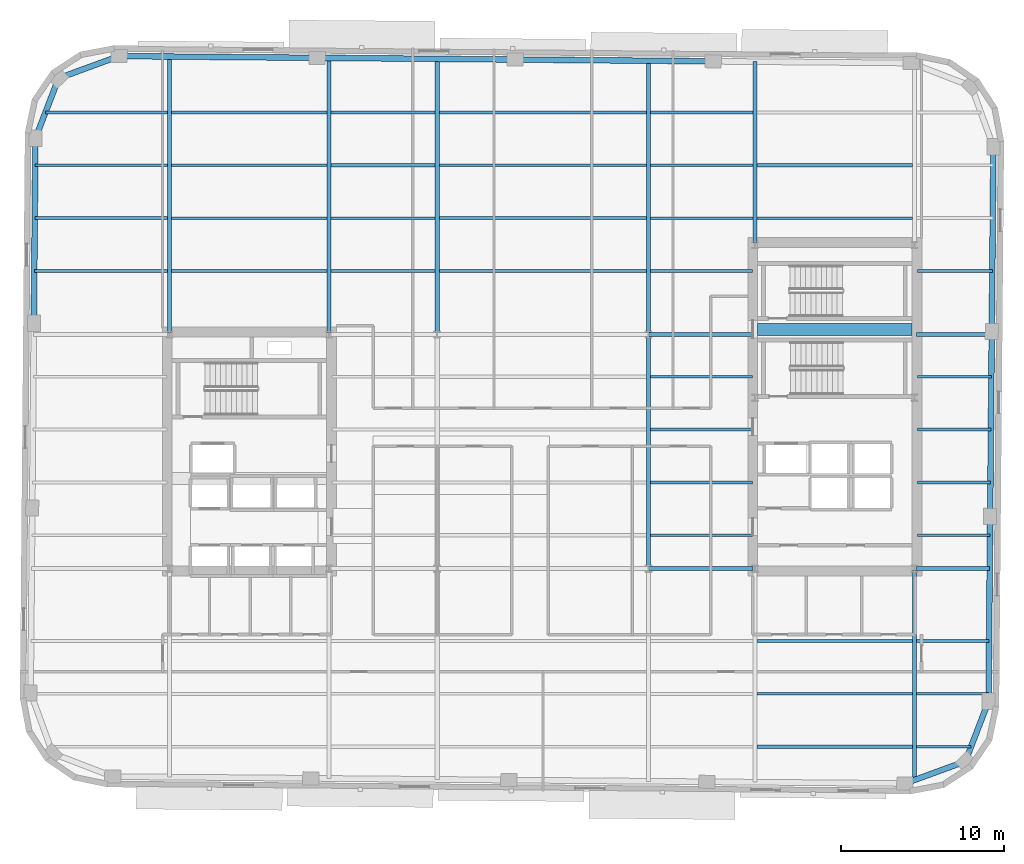
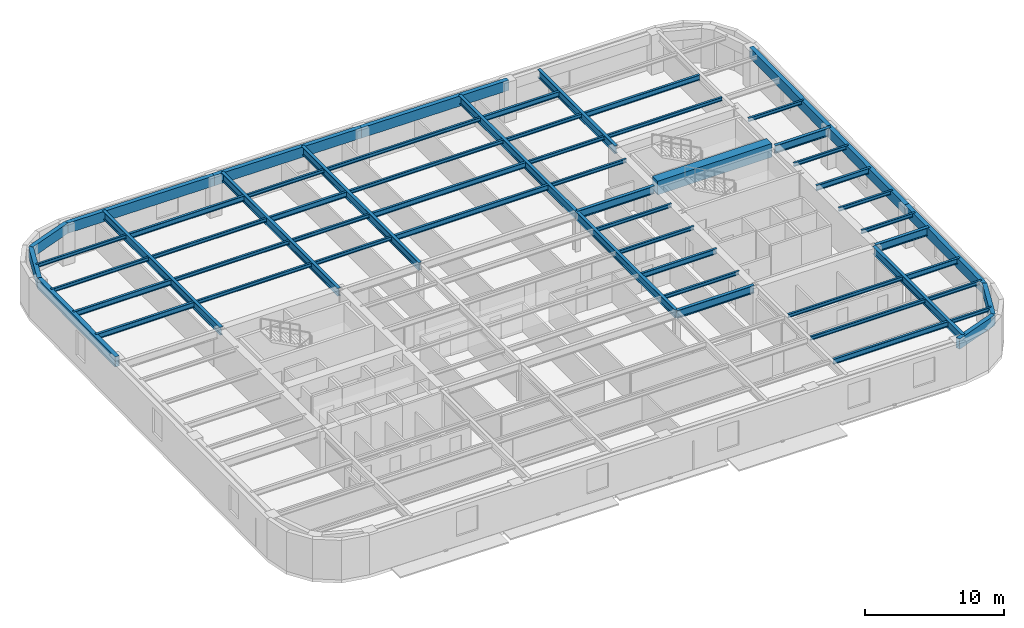
# One storey, part 2 of 11: 60 beams.
"""IFC4 building model written with IfcOpenShell, lengths in metres."""

import ifcopenshell
import ifcopenshell.guid

model = None  # the IFC model being written
_history = None  # IfcOwnerHistory: only IFC2X3 demands one
_inside = {}  # id of a spatial element -> (the spatial element, [elements in it])
_under = {}  # id of a project, library or spatial element -> (it, [spatial elements below it])
_declared = {}  # id of a project -> (the project, [libraries it declares])
_typed = {}  # id of a type object -> (the type object, [elements of that type])
_made_of = {}  # id of a material, layer set ... -> (it, [elements and type objects made of it])


def new_model(schema):
    """Start an empty IFC model of exactly this schema.

    Asked for "IFC4X3", IfcOpenShell would pick the latest addendum, in which some entities
    have other attributes; the version numbers below select the first issue.
    IFC2X3 requires an IfcOwnerHistory on every rooted entity: one is made here for all.
    """
    global model, _history
    if schema == "IFC4X3":
        model = ifcopenshell.file(schema_version=(4, 3, 0, 0))
    else:
        model = ifcopenshell.file(schema=schema)
    _inside.clear()
    _under.clear()
    _declared.clear()
    _typed.clear()
    _made_of.clear()
    _history = None
    if model.schema == "IFC2X3":
        org = make("IfcOrganization", Name="unknown")
        user = make(
            "IfcPersonAndOrganization",
            ThePerson=make("IfcPerson", FamilyName="unknown"),
            TheOrganization=org,
        )
        app = make(
            "IfcApplication",
            ApplicationDeveloper=org,
            Version="unknown",
            ApplicationFullName="unknown",
            ApplicationIdentifier="unknown",
        )
        _history = make(
            "IfcOwnerHistory",
            OwningUser=user,
            OwningApplication=app,
            ChangeAction="ADDED",
            CreationDate=0,
        )
    return model


def make(cls, **values):
    """One entity of the class cls with the attributes given. An attribute that is None is left unset."""
    return model.create_entity(
        cls, **{name: value for name, value in values.items() if value is not None}
    )


def rooted(cls, **values):
    """An entity with a GlobalId (a new one), such as an element, a storey or a relation."""
    return make(cls, GlobalId=ifcopenshell.guid.new(), OwnerHistory=_history, **values)


def si_unit(unit_type, name, prefix=None):
    """IfcSIUnit, for example si_unit("LENGTHUNIT", "METRE", prefix="MILLI")."""
    return make("IfcSIUnit", UnitType=unit_type, Prefix=prefix, Name=name)


def assignment(units):
    """IfcUnitAssignment: the units of a project."""
    return None if units is None else make("IfcUnitAssignment", Units=units)


def point(xyz):
    """IfcCartesianPoint."""
    return None if xyz is None else make("IfcCartesianPoint", Coordinates=xyz)


def direction(xyz):
    """IfcDirection."""
    return None if xyz is None else make("IfcDirection", DirectionRatios=xyz)


def frame(location, z_axis=None, x_axis=None):
    """IfcAxis2Placement3D, a coordinate frame: its origin and axes. An axis left out is left unset."""
    return make(
        "IfcAxis2Placement3D",
        Location=point(location),
        Axis=direction(z_axis),
        RefDirection=direction(x_axis),
    )


def frame_2d(location, x_axis=None):
    """IfcAxis2Placement2D, a coordinate frame in the plane: its origin and x axis."""
    return make(
        "IfcAxis2Placement2D", Location=point(location), RefDirection=direction(x_axis)
    )


def origin():
    """The frame at (0, 0, 0) with its axes left unset."""
    return frame((0.0, 0.0, 0.0))


def origin_2d():
    """The frame at (0, 0) in the plane with its x axis left unset."""
    return frame_2d((0.0, 0.0))


def place(relative_to, where):
    """IfcLocalPlacement: puts the frame where relative to a parent placement (None: the world)."""
    return make(
        "IfcLocalPlacement", PlacementRelTo=relative_to, RelativePlacement=where
    )


def context(
    kind, dimensions, precision=None, world=None, true_north=None, identifier=None
):
    """IfcGeometricRepresentationContext, for example the 3D "Model" context."""
    return make(
        "IfcGeometricRepresentationContext",
        ContextIdentifier=identifier,
        ContextType=kind,
        CoordinateSpaceDimension=dimensions,
        Precision=precision,
        WorldCoordinateSystem=world,
        TrueNorth=true_north,
    )


def subcontext(parent, identifier, kind, view, scale=None):
    """IfcGeometricRepresentationSubContext, for example "Body" below "Model"."""
    return make(
        "IfcGeometricRepresentationSubContext",
        ContextIdentifier=identifier,
        ContextType=kind,
        ParentContext=parent,
        TargetScale=scale,
        TargetView=view,
    )


def project(units=None, contexts=None):
    """IfcProject with its units and contexts."""
    return rooted(
        "IfcProject",
        Name="project",
        RepresentationContexts=contexts,
        UnitsInContext=assignment(units),
    )


def spatial(cls, under=None, at=None, **own):
    """A site, building, storey or space (cls), placed at a placement, below another one or the project."""
    s = rooted(cls, ObjectPlacement=at, **own)
    if under is not None:
        _under.setdefault(under.id(), (under, []))[1].append(s)
    return s


def profile(cls, at=None, kind="AREA", **sizes):
    """A parametric profile (cls). Its sizes go by their IFC names, for example OverallWidth=200.0."""
    return make(cls, ProfileType=kind, Position=at, **sizes)


def rectangle(**sizes):
    """IfcRectangleProfileDef."""
    return profile("IfcRectangleProfileDef", **sizes)


def hollow_rectangle(**sizes):
    """IfcRectangleHollowProfileDef."""
    return profile("IfcRectangleHollowProfileDef", **sizes)


def i_section(**sizes):
    """IfcIShapeProfileDef."""
    return profile("IfcIShapeProfileDef", **sizes)


def extrude(swept, where, along, depth):
    """IfcExtrudedAreaSolid: the profile swept, set in the frame where, extruded along a direction by depth."""
    return make(
        "IfcExtrudedAreaSolid",
        SweptArea=swept,
        Position=where,
        ExtrudedDirection=direction(along),
        Depth=depth,
    )


def shape(context_of_items, identifier, shape_type, items):
    """IfcShapeRepresentation: the items that make up one representation, for example the "Body"."""
    return make(
        "IfcShapeRepresentation",
        ContextOfItems=context_of_items,
        RepresentationIdentifier=identifier,
        RepresentationType=shape_type,
        Items=items,
    )


def material(Name=None, Category=None):
    """IfcMaterial."""
    return make("IfcMaterial", Name=Name, Category=Category)


def material_profile(
    of_material, cross_section, Name=None, Category=None, Priority=None
):
    """IfcMaterialProfile: a cross section and its material."""
    return make(
        "IfcMaterialProfile",
        Name=Name,
        Material=of_material,
        Profile=cross_section,
        Priority=Priority,
        Category=Category,
    )


def profile_set(profiles, Name=None, composite=None):
    """IfcMaterialProfileSet."""
    return make(
        "IfcMaterialProfileSet",
        Name=Name,
        MaterialProfiles=profiles,
        CompositeProfile=composite,
    )


def made_of(thing, what):
    """Note that an element or type object is made of a material, layer set ...; save() writes the relation."""
    if what is not None:
        _made_of.setdefault(what.id(), (what, []))[1].append(thing)
    return thing


def type_object(cls, material=None, **own):
    """A type object (cls), such as IfcWallType, which elements share."""
    return made_of(rooted(cls, **own), material)


def element(
    cls,
    number,
    at=None,
    inside=None,
    cuts=None,
    type_object=None,
    material=None,
    context=None,
    identifier="Body",
    shape_type=None,
    held_by="IfcProductDefinitionShape",
    body=None,
    shapes=None,
    **own,
):
    """One element of the class cls, such as IfcWall. Its Tag is "e" and its number.

    at: its placement. inside: the storey or other place that contains it. cuts: it is an
    opening in that element (IfcRelVoidsElement). A single representation is given by context,
    identifier, shape_type and body (its items); several are given by shapes. held_by: the class
    of the entity that holds the representations. save() writes the other relations.
    """
    e = rooted(cls, Tag="e%d" % number, ObjectPlacement=at, **own)
    if body is not None:
        shapes = [shape(context, identifier, shape_type, body)]
    if shapes is not None:
        e.Representation = make(held_by, Representations=shapes)
    if inside is not None:
        _inside.setdefault(inside.id(), (inside, []))[1].append(e)
    if cuts is not None:
        rooted(
            "IfcRelVoidsElement", RelatingBuildingElement=cuts, RelatedOpeningElement=e
        )
    if type_object is not None:
        _typed.setdefault(type_object.id(), (type_object, []))[1].append(e)
    return made_of(e, material)


def aggregate(whole, parts):
    """IfcRelAggregates: a whole, such as a stair, and the parts it consists of."""
    return rooted("IfcRelAggregates", RelatingObject=whole, RelatedObjects=parts)


def save(model, path):
    """Write the relations noted so far, then the file.

    IfcRelAggregates (storeys below a building ...), IfcRelContainedInSpatialStructure (elements
    in a storey), IfcRelDefinesByType, IfcRelAssociatesMaterial and IfcRelDeclares: one each for
    every whole, place, type object, material and project.
    """
    for whole, parts in _under.values():
        aggregate(whole, parts)
    for where, things in _inside.values():
        rooted(
            "IfcRelContainedInSpatialStructure",
            RelatedElements=things,
            RelatingStructure=where,
        )
    for kind, things in _typed.values():
        rooted("IfcRelDefinesByType", RelatedObjects=things, RelatingType=kind)
    for what, things in _made_of.values():
        rooted("IfcRelAssociatesMaterial", RelatedObjects=things, RelatingMaterial=what)
    for by, libraries in _declared.values():
        rooted("IfcRelDeclares", RelatingContext=by, RelatedDefinitions=libraries)
    model.write(path)


model = new_model("IFC4")

# Units and contexts
model_context = context("Model", 3, precision=1e-05, world=origin(), true_north=direction((0.0, 1.0)))
body_context = subcontext(model_context, "Body", "Model", "MODEL_VIEW")
ifc_project = project(units=[si_unit("LENGTHUNIT", "METRE"), si_unit("AREAUNIT", "SQUARE_METRE"), si_unit("VOLUMEUNIT", "CUBIC_METRE"), si_unit("PLANEANGLEUNIT", "RADIAN"), si_unit("MASSUNIT", "GRAM", prefix="KILO")], contexts=[model_context])

# Site, building, storey
site_placement = place(None, origin())
site = spatial("IfcSite", under=ifc_project, at=site_placement, CompositionType="ELEMENT")
building_placement = place(site_placement, origin())
building = spatial("IfcBuilding", under=site, at=building_placement, Name="Kolvaren Arena Tower", CompositionType="ELEMENT")
storey_placement = place(building_placement, frame((0.0, 0.0, 180.949951171875)))
storey = spatial("IfcBuildingStorey", under=building, at=storey_placement, Name="L43", CompositionType="ELEMENT", Elevation=180.949951171875)

# Beams
ifc_material_1 = material(Name="Steel CSA G40.21 350W", Category="steel")
ifc_material_profile_1 = material_profile(ifc_material_1, i_section(OverallWidth=0.193115234375, OverallDepth=0.462890625, WebThickness=0.0107421875, FlangeThickness=0.0205078125, FilletRadius=0.012939453125, at=origin_2d()), Name="W460x113")
ifc_profile_set_1 = profile_set([ifc_material_profile_1], Name="Steel CSA G40.21 350W")
beam_type_1 = type_object("IfcBeamType", Name="BEAM-F2", PredefinedType="BEAM", material=ifc_profile_set_1)
beam_1_placement = place(storey_placement, frame((50.677490234375, 8.5, 3.24853515625), z_axis=(1.0, 0.0, 0.0), x_axis=(0.0, 1.0, 0.0)))
element("IfcBeam", 1, at=beam_1_placement, inside=storey, type_object=beam_type_1, Name="Composite Floor Beam (L43)", PredefinedType="BEAM", context=body_context, shape_type="SweptSolid", body=[
    extrude(i_section(OverallWidth=0.193115234375, OverallDepth=0.462890625, WebThickness=0.0107421875, FlangeThickness=0.0205078125, FilletRadius=0.012939453125, at=origin_2d()), origin(), (0.0, 0.0, 1.0), 9.544921875),
])
beam_2_placement = place(storey_placement, frame((60.4775390625, 15.0, 3.24853515625), z_axis=(1.0, 0.0, 0.0), x_axis=(0.0, 1.0, 0.0)))
element("IfcBeam", 2, at=beam_2_placement, inside=storey, type_object=beam_type_1, Name="Composite Floor Beam (L43)", PredefinedType="BEAM", context=body_context, shape_type="SweptSolid", body=[
    extrude(i_section(OverallWidth=0.193115234375, OverallDepth=0.462890625, WebThickness=0.0107421875, FlangeThickness=0.0205078125, FilletRadius=0.012939453125, at=origin_2d()), origin(), (0.0, 0.0, 1.0), 4.454833984375),
])
beam_3_placement = place(storey_placement, frame((44.12744140625, 24.75, 3.24853515625), z_axis=(1.0, 0.0, 0.0), x_axis=(0.0, 1.0, 0.0)))
element("IfcBeam", 3, at=beam_3_placement, inside=storey, type_object=beam_type_1, Name="Composite Floor Beam (L43)", PredefinedType="BEAM", context=body_context, shape_type="SweptSolid", body=[
    extrude(i_section(OverallWidth=0.193115234375, OverallDepth=0.462890625, WebThickness=0.0107421875, FlangeThickness=0.0205078125, FilletRadius=0.012939453125, at=origin_2d()), origin(), (0.0, 0.0, 1.0), 6.25244140625),
])
beam_4_placement = place(storey_placement, frame((60.52001953125, 28.0, 3.24853515625), z_axis=(1.0, 0.0, 0.0), x_axis=(0.0, 1.0, 0.0)))
element("IfcBeam", 4, at=beam_4_placement, inside=storey, type_object=beam_type_1, Name="Composite Floor Beam (L43)", PredefinedType="BEAM", context=body_context, shape_type="SweptSolid", body=[
    extrude(i_section(OverallWidth=0.193115234375, OverallDepth=0.462890625, WebThickness=0.0107421875, FlangeThickness=0.0205078125, FilletRadius=0.012939453125, at=origin_2d()), origin(), (0.0, 0.0, 1.0), 4.52587890625),
])
beam_5_placement = place(storey_placement, frame((6.228759765625, 37.75, 3.24853515625), z_axis=(1.0, 0.0, 0.0), x_axis=(0.0, 1.0, 0.0)))
element("IfcBeam", 5, at=beam_5_placement, inside=storey, type_object=beam_type_1, Name="Composite Floor Beam (L43)", PredefinedType="BEAM", context=body_context, shape_type="SweptSolid", body=[
    extrude(i_section(OverallWidth=0.193115234375, OverallDepth=0.462890625, WebThickness=0.0107421875, FlangeThickness=0.0205078125, FilletRadius=0.012939453125, at=origin_2d()), origin(), (0.0, 0.0, 1.0), 8.19384765625),
])
beam_6_placement = place(storey_placement, frame((31.12744140625, 37.75, 3.24853515625), z_axis=(1.0, 0.0, 0.0), x_axis=(0.0, 1.0, 0.0)))
element("IfcBeam", 6, at=beam_6_placement, inside=storey, type_object=beam_type_1, Name="Composite Floor Beam (L43)", PredefinedType="BEAM", context=body_context, shape_type="SweptSolid", body=[
    extrude(i_section(OverallWidth=0.193115234375, OverallDepth=0.462890625, WebThickness=0.0107421875, FlangeThickness=0.0205078125, FilletRadius=0.012939453125, at=origin_2d()), origin(), (0.0, 0.0, 1.0), 12.7451171875),
])
beam_7_placement = place(storey_placement, frame((6.257080078125, 41.0, 3.24853515625), z_axis=(1.0, 0.0, 0.0), x_axis=(0.0, 1.0, 0.0)))
element("IfcBeam", 7, at=beam_7_placement, inside=storey, type_object=beam_type_1, Name="Composite Floor Beam (L43)", PredefinedType="BEAM", context=body_context, shape_type="SweptSolid", body=[
    extrude(i_section(OverallWidth=0.193115234375, OverallDepth=0.462890625, WebThickness=0.0107421875, FlangeThickness=0.0205078125, FilletRadius=0.012939453125, at=origin_2d()), origin(), (0.0, 0.0, 1.0), 8.16552734375),
])
beam_8_placement = place(storey_placement, frame((31.12744140625, 41.0, 3.24853515625), z_axis=(1.0, 0.0, 0.0), x_axis=(0.0, 1.0, 0.0)))
element("IfcBeam", 8, at=beam_8_placement, inside=storey, type_object=beam_type_1, Name="Composite Floor Beam (L43)", PredefinedType="BEAM", context=body_context, shape_type="SweptSolid", body=[
    extrude(i_section(OverallWidth=0.193115234375, OverallDepth=0.462890625, WebThickness=0.0107421875, FlangeThickness=0.0205078125, FilletRadius=0.012939453125, at=origin_2d()), origin(), (0.0, 0.0, 1.0), 12.7451171875),
])
beam_9_placement = place(storey_placement, frame((24.4775390625, 44.25, 3.24853515625), z_axis=(1.0, 0.0, 0.0), x_axis=(0.0, 1.0, 0.0)))
element("IfcBeam", 9, at=beam_9_placement, inside=storey, type_object=beam_type_1, Name="Composite Floor Beam (L43)", PredefinedType="BEAM", context=body_context, shape_type="SweptSolid", body=[
    extrude(i_section(OverallWidth=0.193115234375, OverallDepth=0.462890625, WebThickness=0.0107421875, FlangeThickness=0.0205078125, FilletRadius=0.012939453125, at=origin_2d()), origin(), (0.0, 0.0, 1.0), 6.39501953125),
])
for number, where, z_axis, x_axis, name in (
    (10, (50.677490234375, 44.25, 3.24853515625), (1.0, 0.0, 0.0), (0.0, 1.0, 0.0), "Composite Floor Beam (L43)"),
    (11, (14.677490234375, 47.5, 3.24853515625), (1.0, 0.0, 0.0), (0.0, 1.0, 0.0), "Composite Floor Beam (L43)"),
):
    element("IfcBeam", number, at=place(storey_placement, frame(where, z_axis=z_axis, x_axis=x_axis)), inside=storey, type_object=beam_type_1, Name=name, PredefinedType="BEAM", context=body_context, shape_type="SweptSolid", body=[
        extrude(i_section(OverallWidth=0.193115234375, OverallDepth=0.462890625, WebThickness=0.0107421875, FlangeThickness=0.0205078125, FilletRadius=0.012939453125, at=origin_2d()), origin(), (0.0, 0.0, 1.0), 9.544921875),
    ])
beam_10_placement = place(storey_placement, frame((44.12744140625, 47.5, 3.24853515625), z_axis=(1.0, 0.0, 0.0), x_axis=(0.0, 1.0, 0.0)))
element("IfcBeam", 12, at=beam_10_placement, inside=storey, type_object=beam_type_1, Name="Composite Floor Beam (L43)", PredefinedType="BEAM", context=body_context, shape_type="SweptSolid", body=[
    extrude(i_section(OverallWidth=0.193115234375, OverallDepth=0.462890625, WebThickness=0.0107421875, FlangeThickness=0.0205078125, FilletRadius=0.012939453125, at=origin_2d()), origin(), (0.0, 0.0, 1.0), 6.295166015625),
])
ifc_material_2 = material(Name="Concrete 60 MPa", Category="concrete")
ifc_material_profile_2 = material_profile(ifc_material_2, rectangle(XDim=0.75, YDim=1.199951171875, at=origin_2d()), Name="RC-750x1200")
ifc_profile_set_2 = profile_set([ifc_material_profile_2], Name="Concrete 60 MPa")
beam_type_2 = type_object("IfcBeamType", Name="CB-CORE-2", PredefinedType="BEAM", material=ifc_profile_set_2)
beam_11_placement = place(storey_placement, frame((50.699951171875, 34.14990234375, 3.150146484375), z_axis=(1.0, 0.0, 0.0), x_axis=(0.0, 1.0, 0.0)))
element("IfcBeam", 13, at=beam_11_placement, inside=storey, type_object=beam_type_2, Name="East Core Coupling Beam (L43)", PredefinedType="BEAM", context=body_context, shape_type="SweptSolid", body=[
    extrude(rectangle(XDim=0.75, YDim=1.199951171875, at=origin_2d()), origin(), (0.0, 0.0, 1.0), 9.5),
])
ifc_material_profile_3 = material_profile(ifc_material_1, i_section(OverallWidth=0.2548828125, OverallDepth=0.695068359375, WebThickness=0.01708984375, FlangeThickness=0.02978515625, FilletRadius=0.01611328125, at=origin_2d()), Name="W690x217")
ifc_profile_set_3 = profile_set([ifc_material_profile_3], Name="Steel CSA G40.21 350W")
beam_type_3 = type_object("IfcBeamType", Name="GIRD-T2", PredefinedType="BEAM", material=ifc_profile_set_3)
beam_12_placement = place(storey_placement, frame((44.0, 19.449951171875, 3.132568359375), z_axis=(1.0, 0.0, 0.0), x_axis=(0.0, 1.0, 0.0)))
element("IfcBeam", 14, at=beam_12_placement, inside=storey, type_object=beam_type_3, Name="Primary Floor Girder (L43)", PredefinedType="BEAM", context=body_context, shape_type="SweptSolid", body=[
    extrude(i_section(OverallWidth=0.2548828125, OverallDepth=0.695068359375, WebThickness=0.01708984375, FlangeThickness=0.02978515625, FilletRadius=0.01611328125, at=origin_2d()), origin(), (0.0, 0.0, 1.0), 6.419921875),
])
beam_13_placement = place(storey_placement, frame((60.47998046875, 19.449951171875, 3.132568359375), z_axis=(1.0, 0.0, 0.0), x_axis=(0.0, 1.0, 0.0)))
element("IfcBeam", 15, at=beam_13_placement, inside=storey, type_object=beam_type_3, Name="Primary Floor Girder (L43)", PredefinedType="BEAM", context=body_context, shape_type="SweptSolid", body=[
    extrude(i_section(OverallWidth=0.2548828125, OverallDepth=0.695068359375, WebThickness=0.01708984375, FlangeThickness=0.02978515625, FilletRadius=0.01611328125, at=origin_2d()), origin(), (0.0, 0.0, 1.0), 4.4912109375),
])
beam_14_placement = place(storey_placement, frame((44.0, 33.85009765625, 3.132568359375), z_axis=(1.0, 0.0, 0.0), x_axis=(0.0, 1.0, 0.0)))
element("IfcBeam", 16, at=beam_14_placement, inside=storey, type_object=beam_type_3, Name="Primary Floor Girder (L43)", PredefinedType="BEAM", context=body_context, shape_type="SweptSolid", body=[
    extrude(i_section(OverallWidth=0.2548828125, OverallDepth=0.695068359375, WebThickness=0.01708984375, FlangeThickness=0.02978515625, FilletRadius=0.01611328125, at=origin_2d()), origin(), (0.0, 0.0, 1.0), 6.419921875),
])
beam_15_placement = place(storey_placement, frame((60.47998046875, 33.85009765625, 3.132568359375), z_axis=(1.0, 0.0, 0.0), x_axis=(0.0, 1.0, 0.0)))
element("IfcBeam", 17, at=beam_15_placement, inside=storey, type_object=beam_type_3, Name="Primary Floor Girder (L43)", PredefinedType="BEAM", context=body_context, shape_type="SweptSolid", body=[
    extrude(i_section(OverallWidth=0.2548828125, OverallDepth=0.695068359375, WebThickness=0.01708984375, FlangeThickness=0.02978515625, FilletRadius=0.01611328125, at=origin_2d()), origin(), (0.0, 0.0, 1.0), 4.616943359375),
])
beam_16_placement = place(storey_placement, frame((14.550048828125, 33.97998046875, 3.132568359375), z_axis=(0.0, 1.0, 0.0), x_axis=(-1.0, 0.0, 0.0)))
element("IfcBeam", 18, at=beam_16_placement, inside=storey, type_object=beam_type_3, Name="Primary Floor Girder (L43)", PredefinedType="BEAM", context=body_context, shape_type="SweptSolid", body=[
    extrude(i_section(OverallWidth=0.2548828125, OverallDepth=0.695068359375, WebThickness=0.01708984375, FlangeThickness=0.02978515625, FilletRadius=0.01611328125, at=origin_2d()), origin(), (0.0, 0.0, 1.0), 16.95458984375),
])
beam_17_placement = place(storey_placement, frame((24.35009765625, 33.97998046875, 3.132568359375), z_axis=(0.0, 1.0, 0.0), x_axis=(-1.0, 0.0, 0.0)))
element("IfcBeam", 19, at=beam_17_placement, inside=storey, type_object=beam_type_3, Name="Primary Floor Girder (L43)", PredefinedType="BEAM", context=body_context, shape_type="SweptSolid", body=[
    extrude(i_section(OverallWidth=0.2548828125, OverallDepth=0.695068359375, WebThickness=0.01708984375, FlangeThickness=0.02978515625, FilletRadius=0.01611328125, at=origin_2d()), origin(), (0.0, 0.0, 1.0), 16.869140625),
])
beam_18_placement = place(storey_placement, frame((31.0, 33.85009765625, 3.132568359375), z_axis=(0.0, 1.0, 0.0), x_axis=(-1.0, 0.0, 0.0)))
element("IfcBeam", 20, at=beam_18_placement, inside=storey, type_object=beam_type_3, Name="Primary Floor Girder (L43)", PredefinedType="BEAM", context=body_context, shape_type="SweptSolid", body=[
    extrude(i_section(OverallWidth=0.2548828125, OverallDepth=0.695068359375, WebThickness=0.01708984375, FlangeThickness=0.02978515625, FilletRadius=0.01611328125, at=origin_2d()), origin(), (0.0, 0.0, 1.0), 16.94091796875),
])
beam_19_placement = place(storey_placement, frame((44.0, 19.449951171875, 3.132568359375), z_axis=(0.0, 1.0, 0.0), x_axis=(-1.0, 0.0, 0.0)))
element("IfcBeam", 21, at=beam_19_placement, inside=storey, type_object=beam_type_3, Name="Primary Floor Girder (L43)", PredefinedType="BEAM", context=body_context, shape_type="SweptSolid", body=[
    extrude(i_section(OverallWidth=0.2548828125, OverallDepth=0.695068359375, WebThickness=0.01708984375, FlangeThickness=0.02978515625, FilletRadius=0.01611328125, at=origin_2d()), origin(), (0.0, 0.0, 1.0), 14.400146484375),
])
beam_20_placement = place(storey_placement, frame((44.0, 33.85009765625, 3.132568359375), z_axis=(0.0, 1.0, 0.0), x_axis=(-1.0, 0.0, 0.0)))
element("IfcBeam", 22, at=beam_20_placement, inside=storey, type_object=beam_type_3, Name="Primary Floor Girder (L43)", PredefinedType="BEAM", context=body_context, shape_type="SweptSolid", body=[
    extrude(i_section(OverallWidth=0.2548828125, OverallDepth=0.695068359375, WebThickness=0.01708984375, FlangeThickness=0.02978515625, FilletRadius=0.01611328125, at=origin_2d()), origin(), (0.0, 0.0, 1.0), 16.827392578125),
])
beam_21_placement = place(storey_placement, frame((50.550048828125, 39.47998046875, 3.132568359375), z_axis=(0.0, 1.0, 0.0), x_axis=(-1.0, 0.0, 0.0)))
element("IfcBeam", 23, at=beam_21_placement, inside=storey, type_object=beam_type_3, Name="Primary Floor Girder (L43)", PredefinedType="BEAM", context=body_context, shape_type="SweptSolid", body=[
    extrude(i_section(OverallWidth=0.2548828125, OverallDepth=0.695068359375, WebThickness=0.01708984375, FlangeThickness=0.02978515625, FilletRadius=0.01611328125, at=origin_2d()), origin(), (0.0, 0.0, 1.0), 11.140380859375),
])
beam_22_placement = place(storey_placement, frame((60.35009765625, 6.455322265625, 3.132568359375), z_axis=(0.0, 1.0, 0.0), x_axis=(-1.0, 0.0, 0.0)))
element("IfcBeam", 24, at=beam_22_placement, inside=storey, type_object=beam_type_3, Name="Primary Floor Girder (L43)", PredefinedType="BEAM", context=body_context, shape_type="SweptSolid", body=[
    extrude(i_section(OverallWidth=0.2548828125, OverallDepth=0.695068359375, WebThickness=0.01708984375, FlangeThickness=0.02978515625, FilletRadius=0.01611328125, at=origin_2d()), origin(), (0.0, 0.0, 1.0), 12.86474609375),
])
ifc_material_profile_4 = material_profile(ifc_material_1, i_section(OverallWidth=0.1669921875, OverallDepth=0.31689453125, WebThickness=0.007568359375, FlangeThickness=0.01318359375, FilletRadius=0.010009765625, at=origin_2d()), Name="W310x52")
ifc_profile_set_4 = profile_set([ifc_material_profile_4], Name="Steel CSA G40.21 350W")
beam_type_4 = type_object("IfcBeamType", Name="JOIST-02", PredefinedType="JOIST", material=ifc_profile_set_4)
beam_23_placement = place(storey_placement, frame((60.4775390625, 8.5, 3.321533203125), z_axis=(1.0, 0.0, 0.0), x_axis=(0.0, 1.0, 0.0)))
element("IfcBeam", 25, at=beam_23_placement, inside=storey, type_object=beam_type_4, Name="Composite Floor Joist (L43)", PredefinedType="JOIST", context=body_context, shape_type="SweptSolid", body=[
    extrude(i_section(OverallWidth=0.1669921875, OverallDepth=0.31689453125, WebThickness=0.007568359375, FlangeThickness=0.01318359375, FilletRadius=0.010009765625, at=origin_2d()), origin(), (0.0, 0.0, 1.0), 3.3466796875),
])
beam_24_placement = place(storey_placement, frame((50.677490234375, 11.75, 3.321533203125), z_axis=(1.0, 0.0, 0.0), x_axis=(0.0, 1.0, 0.0)))
element("IfcBeam", 26, at=beam_24_placement, inside=storey, type_object=beam_type_4, Name="Composite Floor Joist (L43)", PredefinedType="JOIST", context=body_context, shape_type="SweptSolid", body=[
    extrude(i_section(OverallWidth=0.1669921875, OverallDepth=0.31689453125, WebThickness=0.007568359375, FlangeThickness=0.01318359375, FilletRadius=0.010009765625, at=origin_2d()), origin(), (0.0, 0.0, 1.0), 9.544921875),
])
beam_25_placement = place(storey_placement, frame((60.4775390625, 11.75, 3.321533203125), z_axis=(1.0, 0.0, 0.0), x_axis=(0.0, 1.0, 0.0)))
element("IfcBeam", 27, at=beam_25_placement, inside=storey, type_object=beam_type_4, Name="Composite Floor Joist (L43)", PredefinedType="JOIST", context=body_context, shape_type="SweptSolid", body=[
    extrude(i_section(OverallWidth=0.1669921875, OverallDepth=0.31689453125, WebThickness=0.007568359375, FlangeThickness=0.01318359375, FilletRadius=0.010009765625, at=origin_2d()), origin(), (0.0, 0.0, 1.0), 4.426513671875),
])
beam_26_placement = place(storey_placement, frame((50.677490234375, 15.0, 3.321533203125), z_axis=(1.0, 0.0, 0.0), x_axis=(0.0, 1.0, 0.0)))
element("IfcBeam", 28, at=beam_26_placement, inside=storey, type_object=beam_type_4, Name="Composite Floor Joist (L43)", PredefinedType="JOIST", context=body_context, shape_type="SweptSolid", body=[
    extrude(i_section(OverallWidth=0.1669921875, OverallDepth=0.31689453125, WebThickness=0.007568359375, FlangeThickness=0.01318359375, FilletRadius=0.010009765625, at=origin_2d()), origin(), (0.0, 0.0, 1.0), 9.544921875),
])
beam_27_placement = place(storey_placement, frame((44.12744140625, 21.5, 3.321533203125), z_axis=(1.0, 0.0, 0.0), x_axis=(0.0, 1.0, 0.0)))
element("IfcBeam", 29, at=beam_27_placement, inside=storey, type_object=beam_type_4, Name="Composite Floor Joist (L43)", PredefinedType="JOIST", context=body_context, shape_type="SweptSolid", body=[
    extrude(i_section(OverallWidth=0.1669921875, OverallDepth=0.31689453125, WebThickness=0.007568359375, FlangeThickness=0.01318359375, FilletRadius=0.010009765625, at=origin_2d()), origin(), (0.0, 0.0, 1.0), 6.25244140625),
])
beam_28_placement = place(storey_placement, frame((60.52001953125, 21.5, 3.321533203125), z_axis=(1.0, 0.0, 0.0), x_axis=(0.0, 1.0, 0.0)))
element("IfcBeam", 30, at=beam_28_placement, inside=storey, type_object=beam_type_4, Name="Composite Floor Joist (L43)", PredefinedType="JOIST", context=body_context, shape_type="SweptSolid", body=[
    extrude(i_section(OverallWidth=0.1669921875, OverallDepth=0.31689453125, WebThickness=0.007568359375, FlangeThickness=0.01318359375, FilletRadius=0.010009765625, at=origin_2d()), origin(), (0.0, 0.0, 1.0), 4.46923828125),
])
beam_29_placement = place(storey_placement, frame((60.52001953125, 24.75, 3.321533203125), z_axis=(1.0, 0.0, 0.0), x_axis=(0.0, 1.0, 0.0)))
element("IfcBeam", 31, at=beam_29_placement, inside=storey, type_object=beam_type_4, Name="Composite Floor Joist (L43)", PredefinedType="JOIST", context=body_context, shape_type="SweptSolid", body=[
    extrude(i_section(OverallWidth=0.1669921875, OverallDepth=0.31689453125, WebThickness=0.007568359375, FlangeThickness=0.01318359375, FilletRadius=0.010009765625, at=origin_2d()), origin(), (0.0, 0.0, 1.0), 4.49755859375),
])
for number, where, z_axis, x_axis, name in (
    (32, (44.12744140625, 28.0, 3.321533203125), (1.0, 0.0, 0.0), (0.0, 1.0, 0.0), "Composite Floor Joist (L43)"),
    (33, (44.12744140625, 31.25, 3.321533203125), (1.0, 0.0, 0.0), (0.0, 1.0, 0.0), "Composite Floor Joist (L43)"),
):
    element("IfcBeam", number, at=place(storey_placement, frame(where, z_axis=z_axis, x_axis=x_axis)), inside=storey, type_object=beam_type_4, Name=name, PredefinedType="JOIST", context=body_context, shape_type="SweptSolid", body=[
        extrude(i_section(OverallWidth=0.1669921875, OverallDepth=0.31689453125, WebThickness=0.007568359375, FlangeThickness=0.01318359375, FilletRadius=0.010009765625, at=origin_2d()), origin(), (0.0, 0.0, 1.0), 6.25244140625),
    ])
beam_30_placement = place(storey_placement, frame((60.52001953125, 31.25, 3.321533203125), z_axis=(1.0, 0.0, 0.0), x_axis=(0.0, 1.0, 0.0)))
element("IfcBeam", 34, at=beam_30_placement, inside=storey, type_object=beam_type_4, Name="Composite Floor Joist (L43)", PredefinedType="JOIST", context=body_context, shape_type="SweptSolid", body=[
    extrude(i_section(OverallWidth=0.1669921875, OverallDepth=0.31689453125, WebThickness=0.007568359375, FlangeThickness=0.01318359375, FilletRadius=0.010009765625, at=origin_2d()), origin(), (0.0, 0.0, 1.0), 4.55419921875),
])
beam_31_placement = place(storey_placement, frame((14.677490234375, 37.75, 3.321533203125), z_axis=(1.0, 0.0, 0.0), x_axis=(0.0, 1.0, 0.0)))
element("IfcBeam", 35, at=beam_31_placement, inside=storey, type_object=beam_type_4, Name="Composite Floor Joist (L43)", PredefinedType="JOIST", context=body_context, shape_type="SweptSolid", body=[
    extrude(i_section(OverallWidth=0.1669921875, OverallDepth=0.31689453125, WebThickness=0.007568359375, FlangeThickness=0.01318359375, FilletRadius=0.010009765625, at=origin_2d()), origin(), (0.0, 0.0, 1.0), 9.544921875),
])
beam_32_placement = place(storey_placement, frame((24.4775390625, 37.75, 3.321533203125), z_axis=(1.0, 0.0, 0.0), x_axis=(0.0, 1.0, 0.0)))
element("IfcBeam", 36, at=beam_32_placement, inside=storey, type_object=beam_type_4, Name="Composite Floor Joist (L43)", PredefinedType="JOIST", context=body_context, shape_type="SweptSolid", body=[
    extrude(i_section(OverallWidth=0.1669921875, OverallDepth=0.31689453125, WebThickness=0.007568359375, FlangeThickness=0.01318359375, FilletRadius=0.010009765625, at=origin_2d()), origin(), (0.0, 0.0, 1.0), 6.39501953125),
])
beam_33_placement = place(storey_placement, frame((44.12744140625, 37.75, 3.321533203125), z_axis=(1.0, 0.0, 0.0), x_axis=(0.0, 1.0, 0.0)))
element("IfcBeam", 37, at=beam_33_placement, inside=storey, type_object=beam_type_4, Name="Composite Floor Joist (L43)", PredefinedType="JOIST", context=body_context, shape_type="SweptSolid", body=[
    extrude(i_section(OverallWidth=0.1669921875, OverallDepth=0.31689453125, WebThickness=0.007568359375, FlangeThickness=0.01318359375, FilletRadius=0.010009765625, at=origin_2d()), origin(), (0.0, 0.0, 1.0), 6.25244140625),
])
beam_34_placement = place(storey_placement, frame((60.52001953125, 37.75, 3.321533203125), z_axis=(1.0, 0.0, 0.0), x_axis=(0.0, 1.0, 0.0)))
element("IfcBeam", 38, at=beam_34_placement, inside=storey, type_object=beam_type_4, Name="Composite Floor Joist (L43)", PredefinedType="JOIST", context=body_context, shape_type="SweptSolid", body=[
    extrude(i_section(OverallWidth=0.1669921875, OverallDepth=0.31689453125, WebThickness=0.007568359375, FlangeThickness=0.01318359375, FilletRadius=0.010009765625, at=origin_2d()), origin(), (0.0, 0.0, 1.0), 4.611083984375),
])
beam_35_placement = place(storey_placement, frame((14.677490234375, 41.0, 3.321533203125), z_axis=(1.0, 0.0, 0.0), x_axis=(0.0, 1.0, 0.0)))
element("IfcBeam", 39, at=beam_35_placement, inside=storey, type_object=beam_type_4, Name="Composite Floor Joist (L43)", PredefinedType="JOIST", context=body_context, shape_type="SweptSolid", body=[
    extrude(i_section(OverallWidth=0.1669921875, OverallDepth=0.31689453125, WebThickness=0.007568359375, FlangeThickness=0.01318359375, FilletRadius=0.010009765625, at=origin_2d()), origin(), (0.0, 0.0, 1.0), 9.544921875),
])
beam_36_placement = place(storey_placement, frame((24.4775390625, 41.0, 3.321533203125), z_axis=(1.0, 0.0, 0.0), x_axis=(0.0, 1.0, 0.0)))
element("IfcBeam", 40, at=beam_36_placement, inside=storey, type_object=beam_type_4, Name="Composite Floor Joist (L43)", PredefinedType="JOIST", context=body_context, shape_type="SweptSolid", body=[
    extrude(i_section(OverallWidth=0.1669921875, OverallDepth=0.31689453125, WebThickness=0.007568359375, FlangeThickness=0.01318359375, FilletRadius=0.010009765625, at=origin_2d()), origin(), (0.0, 0.0, 1.0), 6.39501953125),
])
beam_37_placement = place(storey_placement, frame((44.12744140625, 41.0, 3.321533203125), z_axis=(1.0, 0.0, 0.0), x_axis=(0.0, 1.0, 0.0)))
element("IfcBeam", 41, at=beam_37_placement, inside=storey, type_object=beam_type_4, Name="Composite Floor Joist (L43)", PredefinedType="JOIST", context=body_context, shape_type="SweptSolid", body=[
    extrude(i_section(OverallWidth=0.1669921875, OverallDepth=0.31689453125, WebThickness=0.007568359375, FlangeThickness=0.01318359375, FilletRadius=0.010009765625, at=origin_2d()), origin(), (0.0, 0.0, 1.0), 6.295166015625),
])
beam_38_placement = place(storey_placement, frame((50.677490234375, 41.0, 3.321533203125), z_axis=(1.0, 0.0, 0.0), x_axis=(0.0, 1.0, 0.0)))
element("IfcBeam", 42, at=beam_38_placement, inside=storey, type_object=beam_type_4, Name="Composite Floor Joist (L43)", PredefinedType="JOIST", context=body_context, shape_type="SweptSolid", body=[
    extrude(i_section(OverallWidth=0.1669921875, OverallDepth=0.31689453125, WebThickness=0.007568359375, FlangeThickness=0.01318359375, FilletRadius=0.010009765625, at=origin_2d()), origin(), (0.0, 0.0, 1.0), 9.544921875),
])
beam_39_placement = place(storey_placement, frame((6.285400390625, 44.25, 3.321533203125), z_axis=(1.0, 0.0, 0.0), x_axis=(0.0, 1.0, 0.0)))
element("IfcBeam", 43, at=beam_39_placement, inside=storey, type_object=beam_type_4, Name="Composite Floor Joist (L43)", PredefinedType="JOIST", context=body_context, shape_type="SweptSolid", body=[
    extrude(i_section(OverallWidth=0.1669921875, OverallDepth=0.31689453125, WebThickness=0.007568359375, FlangeThickness=0.01318359375, FilletRadius=0.010009765625, at=origin_2d()), origin(), (0.0, 0.0, 1.0), 8.13720703125),
])
beam_40_placement = place(storey_placement, frame((14.677490234375, 44.25, 3.321533203125), z_axis=(1.0, 0.0, 0.0), x_axis=(0.0, 1.0, 0.0)))
element("IfcBeam", 44, at=beam_40_placement, inside=storey, type_object=beam_type_4, Name="Composite Floor Joist (L43)", PredefinedType="JOIST", context=body_context, shape_type="SweptSolid", body=[
    extrude(i_section(OverallWidth=0.1669921875, OverallDepth=0.31689453125, WebThickness=0.007568359375, FlangeThickness=0.01318359375, FilletRadius=0.010009765625, at=origin_2d()), origin(), (0.0, 0.0, 1.0), 9.544921875),
])
beam_41_placement = place(storey_placement, frame((31.12744140625, 44.25, 3.321533203125), z_axis=(1.0, 0.0, 0.0), x_axis=(0.0, 1.0, 0.0)))
element("IfcBeam", 45, at=beam_41_placement, inside=storey, type_object=beam_type_4, Name="Composite Floor Joist (L43)", PredefinedType="JOIST", context=body_context, shape_type="SweptSolid", body=[
    extrude(i_section(OverallWidth=0.1669921875, OverallDepth=0.31689453125, WebThickness=0.007568359375, FlangeThickness=0.01318359375, FilletRadius=0.010009765625, at=origin_2d()), origin(), (0.0, 0.0, 1.0), 12.7451171875),
])
beam_42_placement = place(storey_placement, frame((44.12744140625, 44.25, 3.321533203125), z_axis=(1.0, 0.0, 0.0), x_axis=(0.0, 1.0, 0.0)))
element("IfcBeam", 46, at=beam_42_placement, inside=storey, type_object=beam_type_4, Name="Composite Floor Joist (L43)", PredefinedType="JOIST", context=body_context, shape_type="SweptSolid", body=[
    extrude(i_section(OverallWidth=0.1669921875, OverallDepth=0.31689453125, WebThickness=0.007568359375, FlangeThickness=0.01318359375, FilletRadius=0.010009765625, at=origin_2d()), origin(), (0.0, 0.0, 1.0), 6.295166015625),
])
beam_43_placement = place(storey_placement, frame((6.913818359375, 47.5, 3.321533203125), z_axis=(1.0, 0.0, 0.0), x_axis=(0.0, 1.0, 0.0)))
element("IfcBeam", 47, at=beam_43_placement, inside=storey, type_object=beam_type_4, Name="Composite Floor Joist (L43)", PredefinedType="JOIST", context=body_context, shape_type="SweptSolid", body=[
    extrude(i_section(OverallWidth=0.1669921875, OverallDepth=0.31689453125, WebThickness=0.007568359375, FlangeThickness=0.01318359375, FilletRadius=0.010009765625, at=origin_2d()), origin(), (0.0, 0.0, 1.0), 7.5087890625),
])
beam_44_placement = place(storey_placement, frame((24.4775390625, 47.5, 3.321533203125), z_axis=(1.0, 0.0, 0.0), x_axis=(0.0, 1.0, 0.0)))
element("IfcBeam", 48, at=beam_44_placement, inside=storey, type_object=beam_type_4, Name="Composite Floor Joist (L43)", PredefinedType="JOIST", context=body_context, shape_type="SweptSolid", body=[
    extrude(i_section(OverallWidth=0.1669921875, OverallDepth=0.31689453125, WebThickness=0.007568359375, FlangeThickness=0.01318359375, FilletRadius=0.010009765625, at=origin_2d()), origin(), (0.0, 0.0, 1.0), 6.39501953125),
])
beam_45_placement = place(storey_placement, frame((31.12744140625, 47.5, 3.321533203125), z_axis=(1.0, 0.0, 0.0), x_axis=(0.0, 1.0, 0.0)))
element("IfcBeam", 49, at=beam_45_placement, inside=storey, type_object=beam_type_4, Name="Composite Floor Joist (L43)", PredefinedType="JOIST", context=body_context, shape_type="SweptSolid", body=[
    extrude(i_section(OverallWidth=0.1669921875, OverallDepth=0.31689453125, WebThickness=0.007568359375, FlangeThickness=0.01318359375, FilletRadius=0.010009765625, at=origin_2d()), origin(), (0.0, 0.0, 1.0), 12.7451171875),
])
ifc_material_3 = material(Name="Steel CSA G40.21 350WT", Category="steel")
ifc_material_profile_5 = material_profile(ifc_material_3, hollow_rectangle(XDim=0.35009765625, YDim=0.89990234375, WallThickness=0.02001953125, at=origin_2d()), Name="HSS 900x350x20")
ifc_profile_set_5 = profile_set([ifc_material_profile_5], Name="Steel CSA G40.21 350WT")
beam_type_5 = type_object("IfcBeamType", Name="SPAND-01", PredefinedType="SPANDREL", material=ifc_profile_set_5)
for number, where, z_axis, x_axis, name in (
    (50, (59.755859375, 6.23828125, 3.030029296875), (0.939313819882, 0.343059102458, 0.0), (-0.343059102458, 0.939313819882, 0.0), "Perimeter Spandrel Beam (L43)"),
    (51, (63.4765625, 7.59716796875, 3.030029296875), (0.359383792094, 0.933189846698, 0.0), (-0.933189846698, 0.359383792094, 0.0), "Perimeter Spandrel Beam (L43)"),
):
    element("IfcBeam", number, at=place(storey_placement, frame(where, z_axis=z_axis, x_axis=x_axis)), inside=storey, type_object=beam_type_5, Name=name, PredefinedType="SPANDREL", context=body_context, shape_type="SweptSolid", body=[
        extrude(hollow_rectangle(XDim=0.35009765625, YDim=0.89990234375, WallThickness=0.02001953125, at=origin_2d()), origin(), (0.0, 0.0, 1.0), 3.961181640625),
    ])
for number, where, z_axis, x_axis, name in (
    (52, (64.900146484375, 11.293701171875, 3.030029296875), (0.008720348885, 0.999961977035, 0.0), (-0.999961977035, 0.008720348885, 0.0), "Perimeter Spandrel Beam (L43)"),
    (53, (64.999267578125, 22.659912109375, 3.030029296875), (0.008720348885, 0.999961977035, 0.0), (-0.999961977035, 0.008720348885, 0.0), "Perimeter Spandrel Beam (L43)"),
    (54, (65.098388671875, 34.026123046875, 3.030029296875), (0.008741825937, 0.99996178951, 0.0), (-0.99996178951, 0.008741825937, 0.0), "Perimeter Spandrel Beam (L43)"),
):
    element("IfcBeam", number, at=place(storey_placement, frame(where, z_axis=z_axis, x_axis=x_axis)), inside=storey, type_object=beam_type_5, Name=name, PredefinedType="SPANDREL", context=body_context, shape_type="SweptSolid", body=[
        extrude(hollow_rectangle(XDim=0.35009765625, YDim=0.89990234375, WallThickness=0.02001953125, at=origin_2d()), origin(), (0.0, 0.0, 1.0), 11.36669921875),
    ])
beam_46_placement = place(storey_placement, frame((47.9677734375, 50.642822265625, 3.030029296875), z_axis=(-0.999961779919, 0.008742922896, 0.0), x_axis=(-0.008742922896, -0.999961779919, 0.0)))
element("IfcBeam", 55, at=beam_46_placement, inside=storey, type_object=beam_type_5, Name="Perimeter Spandrel Beam (L43)", PredefinedType="SPANDREL", context=body_context, shape_type="SweptSolid", body=[
    extrude(hollow_rectangle(XDim=0.35009765625, YDim=0.89990234375, WallThickness=0.02001953125, at=origin_2d()), origin(), (0.0, 0.0, 1.0), 12.175048828125),
])
beam_47_placement = place(storey_placement, frame((35.793212890625, 50.749267578125, 3.030029296875), z_axis=(-0.999961953504, 0.008723046761, 0.0), x_axis=(-0.008723046761, -0.999961953504, 0.0)))
element("IfcBeam", 56, at=beam_47_placement, inside=storey, type_object=beam_type_5, Name="Perimeter Spandrel Beam (L43)", PredefinedType="SPANDREL", context=body_context, shape_type="SweptSolid", body=[
    extrude(hollow_rectangle(XDim=0.35009765625, YDim=0.89990234375, WallThickness=0.02001953125, at=origin_2d()), origin(), (0.0, 0.0, 1.0), 12.1748046875),
])
beam_48_placement = place(storey_placement, frame((23.618896484375, 50.85546875, 3.030029296875), z_axis=(-0.999961956555, 0.008722696942, 0.0), x_axis=(-0.008722696942, -0.999961956555, 0.0)))
element("IfcBeam", 57, at=beam_48_placement, inside=storey, type_object=beam_type_5, Name="Perimeter Spandrel Beam (L43)", PredefinedType="SPANDREL", context=body_context, shape_type="SweptSolid", body=[
    extrude(hollow_rectangle(XDim=0.35009765625, YDim=0.89990234375, WallThickness=0.02001953125, at=origin_2d()), origin(), (0.0, 0.0, 1.0), 12.17529296875),
])
for number, where, z_axis, x_axis, name in (
    (58, (11.444091796875, 50.961669921875, 3.030029296875), (-0.939313819882, -0.343059102458, 0.0), (0.343059102458, -0.939313819882, 0.0), "Perimeter Spandrel Beam (L43)"),
    (59, (7.723388671875, 49.602783203125, 3.030029296875), (-0.359383792094, -0.933189846698, 0.0), (0.933189846698, -0.359383792094, 0.0), "Perimeter Spandrel Beam (L43)"),
):
    element("IfcBeam", number, at=place(storey_placement, frame(where, z_axis=z_axis, x_axis=x_axis)), inside=storey, type_object=beam_type_5, Name=name, PredefinedType="SPANDREL", context=body_context, shape_type="SweptSolid", body=[
        extrude(hollow_rectangle(XDim=0.35009765625, YDim=0.89990234375, WallThickness=0.02001953125, at=origin_2d()), origin(), (0.0, 0.0, 1.0), 3.961181640625),
    ])
beam_49_placement = place(storey_placement, frame((6.2998046875, 45.90625, 3.030029296875), z_axis=(-0.008720348885, -0.999961977035, 0.0), x_axis=(0.999961977035, -0.008720348885, 0.0)))
element("IfcBeam", 60, at=beam_49_placement, inside=storey, type_object=beam_type_5, Name="Perimeter Spandrel Beam (L43)", PredefinedType="SPANDREL", context=body_context, shape_type="SweptSolid", body=[
    extrude(hollow_rectangle(XDim=0.35009765625, YDim=0.89990234375, WallThickness=0.02001953125, at=origin_2d()), origin(), (0.0, 0.0, 1.0), 11.36669921875),
])

save(model, "model.ifc")
